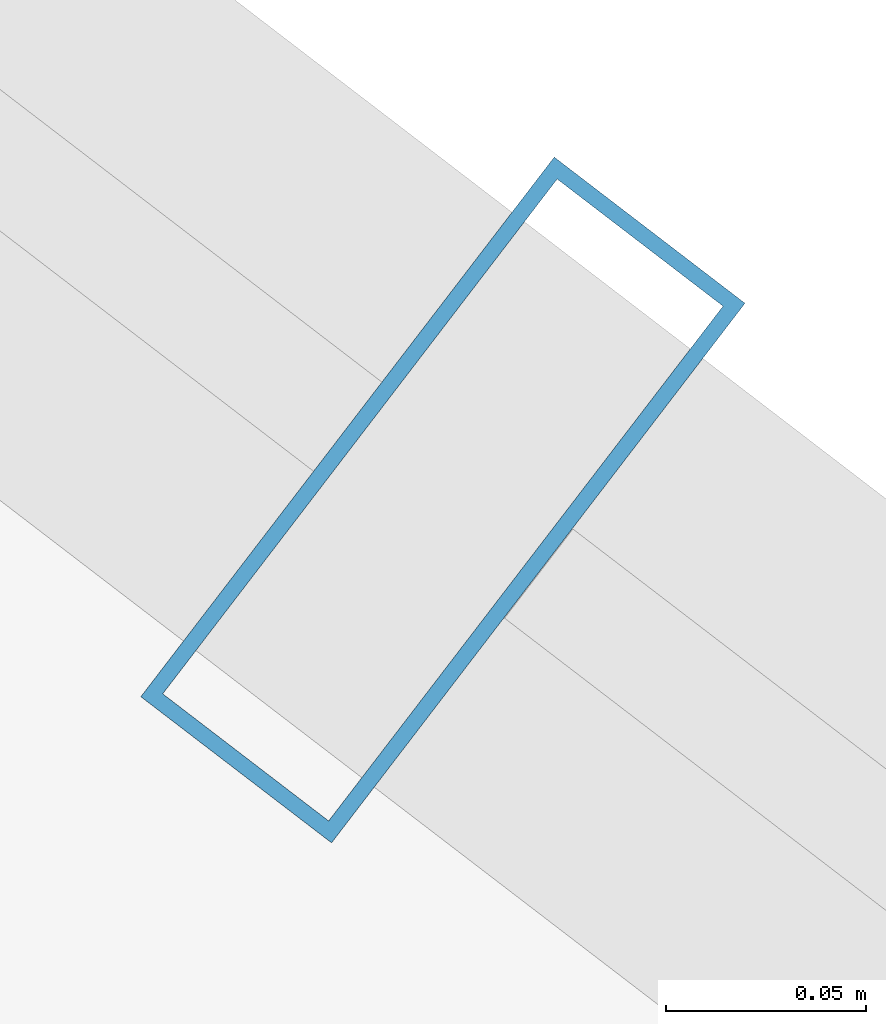
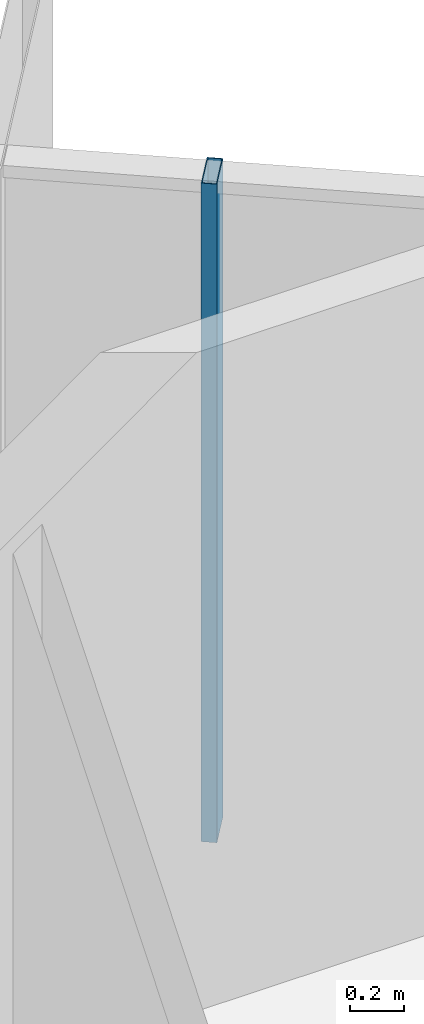
# One storey, part 23 of 30: 1 member, 1 element without a shape of its own.
"""IFC4 building model written with IfcOpenShell, lengths in metres."""

from ifc_helpers import new_model, si_unit, direction, frame, origin, origin_2d, place, context, subcontext, project, spatial, hollow_rectangle, extrude, source, transform, mapped, material, layer, layer_set, material_profile, profile_set, type_object, element, aggregate, save


model = new_model("IFC4")

# Units and contexts
model_context = context("Model", 3, precision=1e-05, world=origin(), true_north=direction((0.0, 1.0)))
body_context = subcontext(model_context, "Body", "Model", "MODEL_VIEW")
ifc_project = project(units=[si_unit("LENGTHUNIT", "METRE"), si_unit("AREAUNIT", "SQUARE_METRE"), si_unit("VOLUMEUNIT", "CUBIC_METRE"), si_unit("PLANEANGLEUNIT", "RADIAN"), si_unit("MASSUNIT", "GRAM", prefix="KILO")], contexts=[model_context])

# Site, building, storey
site_placement = place(None, origin())
site = spatial("IfcSite", under=ifc_project, at=site_placement, CompositionType="ELEMENT")
building_placement = place(site_placement, origin())
building = spatial("IfcBuilding", under=site, at=building_placement, Name="Veraguas Prism Commons", CompositionType="ELEMENT")
storey_placement = place(building_placement, frame((0.0, 0.0, 102.449951171875)))
storey = spatial("IfcBuildingStorey", under=building, at=storey_placement, Name="L28", CompositionType="ELEMENT", Elevation=102.449951171875)

# Curtain wall, member
ifc_material = material(Name="Anodised aluminium EN AW-6063 T6", Category="aluminium")
ifc_layer = layer(ifc_material, 0.169921875, Name="Unitised Flush Curtain Wall Zone 2", Category="aluminium")
ifc_layer_set = layer_set([ifc_layer], Name="Anodised aluminium EN AW-6063 T6")
curtain_wall_type = type_object("IfcCurtainWallType", Name="Unitised Flush Curtain Wall Zone 2", PredefinedType="NOTDEFINED", material=ifc_layer_set)
curtain_wall_placement = place(storey_placement, origin())
curtain_wall = element("IfcCurtainWall", 1, at=curtain_wall_placement, inside=storey, type_object=curtain_wall_type, Name="Tower Facade Curtain Wall L28-F1", PredefinedType="NOTDEFINED")
ifc_material_profile = material_profile(ifc_material, hollow_rectangle(XDim=0.06005859375, YDim=0.169921875, WallThickness=0.00390625, at=origin_2d()), Name="AL60X170X4")
ifc_profile_set = profile_set([ifc_material_profile], Name="Anodised aluminium EN AW-6063 T6")
member_type = type_object("IfcMemberType", Name="Curtain Wall Mullion Lower AL 60x170x4", PredefinedType="MULLION", material=ifc_profile_set)
shared_shape = source(origin(), body_context, "Body", "SweptSolid", [
    extrude(hollow_rectangle(XDim=0.06005859375, YDim=0.169921875, WallThickness=0.00390625, at=origin_2d()), origin(), (0.0, 0.0, 1.0), 3.0),
])
member_placement = place(storey_placement, frame((39.0869140625, 36.606201171875, 0.0), z_axis=(0.0, 0.0, 1.0), x_axis=(-0.793778142573, 0.608207415585, 0.0)))
member = element("IfcMember", 2, at=member_placement, type_object=member_type, Name="CW-Z2 Mullion 2", PredefinedType="MULLION", context=body_context, shape_type="MappedRepresentation", body=[
    mapped(shared_shape, transform((0.0, 0.0, 0.0), scale=1.0)),
])
aggregate(curtain_wall, [member])

save(model, "model.ifc")
